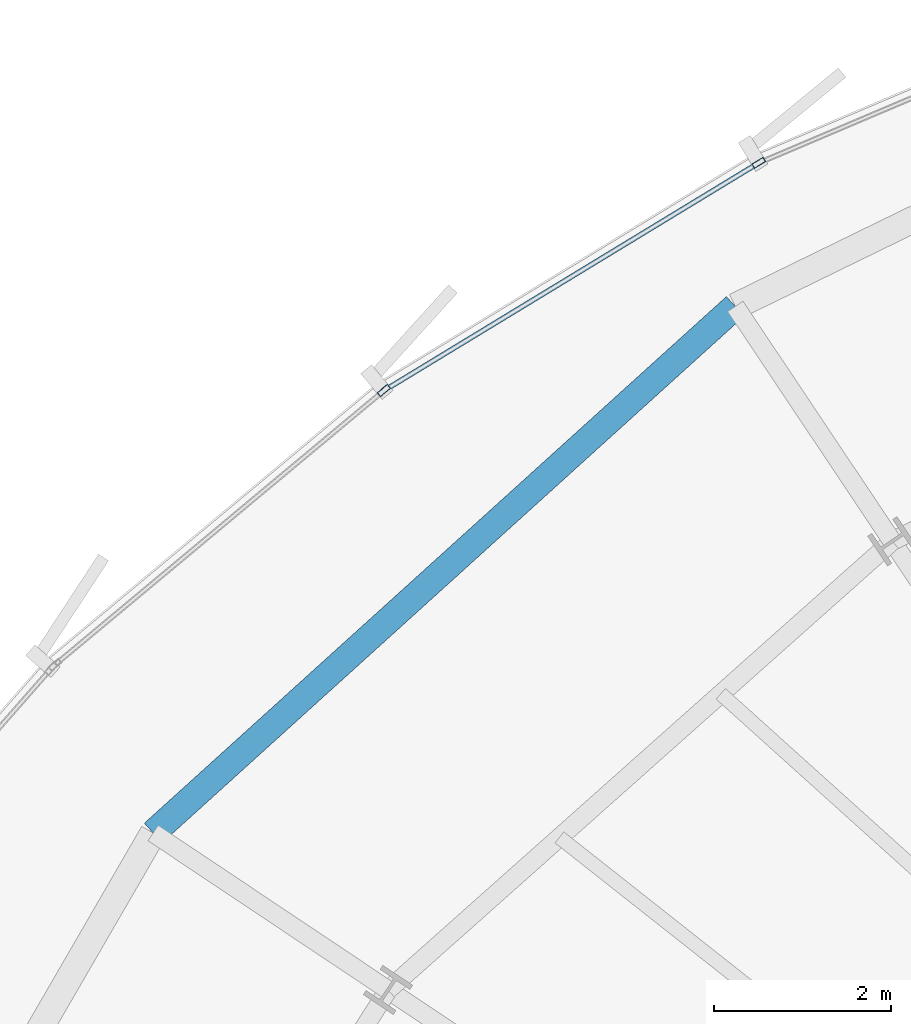
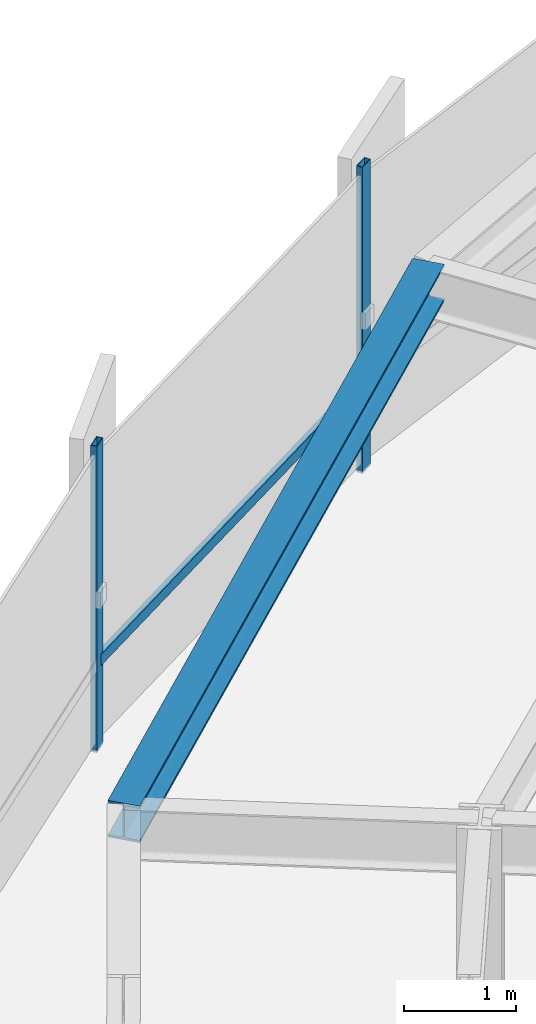
# One storey, part 19 of 33: 3 members, 1 beam, 1 element without a shape of its own.
"""IFC4 building model written with IfcOpenShell, lengths in metres."""

from ifc_helpers import new_model, si_unit, direction, frame, origin, origin_2d, place, context, subcontext, project, spatial, hollow_rectangle, i_section, extrude, source, transform, mapped, material, layer, layer_set, material_profile, profile_set, type_object, element, aggregate, save


model = new_model("IFC4")

# Units and contexts
model_context = context("Model", 3, precision=1e-05, world=origin(), true_north=direction((0.0, 1.0)))
body_context = subcontext(model_context, "Body", "Model", "MODEL_VIEW")
ifc_project = project(units=[si_unit("LENGTHUNIT", "METRE"), si_unit("AREAUNIT", "SQUARE_METRE"), si_unit("VOLUMEUNIT", "CUBIC_METRE"), si_unit("PLANEANGLEUNIT", "RADIAN"), si_unit("MASSUNIT", "GRAM", prefix="KILO"), si_unit("THERMODYNAMICTEMPERATUREUNIT", "KELVIN")], contexts=[model_context])

# Site, building, storey
site_placement = place(None, origin())
site = spatial("IfcSite", under=ifc_project, at=site_placement, CompositionType="ELEMENT")
building_placement = place(site_placement, origin())
building = spatial("IfcBuilding", under=site, at=building_placement, Name="Kethvar Cultural Tower", CompositionType="ELEMENT")
storey_placement = place(building_placement, frame((0.0, 0.0, 110.800048828125)))
storey = spatial("IfcBuildingStorey", under=building, at=storey_placement, Name="L27", CompositionType="ELEMENT", Elevation=110.800048828125)

# Beam
ifc_material_1 = material(Name="Steel S355J2", Category="steel")
ifc_material_profile_1 = material_profile(ifc_material_1, i_section(OverallWidth=0.300048828125, OverallDepth=0.39990234375, WebThickness=0.013427734375, FlangeThickness=0.02392578125, FilletRadius=0.027099609375, at=origin_2d()), Name="Steel S355J2 — HEB400")
ifc_profile_set_1 = profile_set([ifc_material_profile_1], Name="Steel S355J2 — HEB400")
beam_type = type_object("IfcBeamType", Name="BM-SP400", PredefinedType="SPANDREL", material=ifc_profile_set_1)
shared_shape_1 = source(origin(), body_context, "Body", "SweptSolid", [
    extrude(i_section(OverallWidth=0.300048828125, OverallDepth=0.39990234375, WebThickness=0.013427734375, FlangeThickness=0.02392578125, FilletRadius=0.027099609375, at=origin_2d()), origin(), (0.0, 0.0, 1.0), 8.892822265625),
])
beam_placement = place(storey_placement, frame((34.27978515625, 46.5380859375, 3.14794921875), z_axis=(-0.741556591679, -0.670890319901, 0.0), x_axis=(0.670890319901, -0.741556591679, 0.0)))
element("IfcBeam", 1, at=beam_placement, inside=storey, type_object=beam_type, Name="L27 Perimeter Spandrel Beam SP-06", PredefinedType="SPANDREL", context=body_context, shape_type="MappedRepresentation", body=[
    mapped(shared_shape_1, transform((0.0, 0.0, 0.0), scale=1.0)),
])

# Curtain wall, members
ifc_material_2 = material(Name="Aluminium 6063-T6", Category="aluminium")
ifc_layer = layer(ifc_material_2, 0.179931640625, Name="Aluminium 6063-T6", Category="aluminium")
ifc_layer_set = layer_set([ifc_layer], Name="Aluminium 6063-T6 (180 mm)")
curtain_wall_type = type_object("IfcCurtainWallType", Name="CW-SYS-03-Z2", PredefinedType="NOTDEFINED", material=ifc_layer_set)
curtain_wall_placement = place(storey_placement, origin())
curtain_wall = element("IfcCurtainWall", 2, at=curtain_wall_placement, inside=storey, type_object=curtain_wall_type, Name="L27 Curtain Wall Run 02", PredefinedType="NOTDEFINED")
ifc_material_profile_2 = material_profile(ifc_material_2, hollow_rectangle(XDim=0.06005859375, YDim=0.14990234375, WallThickness=0.0048828125, at=origin_2d()), Name="Aluminium 6063-T6 — RHS150x60x5")
ifc_profile_set_2 = profile_set([ifc_material_profile_2], Name="Aluminium 6063-T6 — RHS150x60x5")
member_type_1 = type_object("IfcMemberType", Name="CW-SYS-03-Z2-MUL", PredefinedType="MULLION", material=ifc_profile_set_2)
shared_shape_2 = source(origin(), body_context, "Body", "SweptSolid", [
    extrude(hollow_rectangle(XDim=0.06005859375, YDim=0.14990234375, WallThickness=0.0048828125, at=origin_2d()), origin(), (0.0, 0.0, 1.0), 3.349853515625),
])
member_1_placement = place(storey_placement, frame((34.545654296875, 48.164306640625, 0.0), z_axis=(0.0, 0.0, 1.0), x_axis=(0.519355057987, -0.854558554894, 0.0)))
member_1 = element("IfcMember", 3, at=member_1_placement, type_object=member_type_1, Name="CW-L27-R02 Mullion 5", PredefinedType="MULLION", context=body_context, shape_type="MappedRepresentation", body=[
    mapped(shared_shape_2, transform((0.0, 0.0, 0.0), scale=1.0)),
])
member_2_placement = place(storey_placement, frame((30.29931640625, 45.5849609375, 0.0), z_axis=(0.0, 0.0, 1.0), x_axis=(0.640377842023, -0.768060036355, 0.0)))
member_2 = element("IfcMember", 4, at=member_2_placement, type_object=member_type_1, Name="CW-L27-R02 Mullion 6", PredefinedType="MULLION", context=body_context, shape_type="MappedRepresentation", body=[
    mapped(shared_shape_2, transform((0.0, 0.0, 0.0), scale=1.0)),
])
ifc_material_profile_3 = material_profile(ifc_material_2, hollow_rectangle(XDim=0.054931640625, YDim=0.1201171875, WallThickness=0.00390625, at=origin_2d()), Name="Aluminium 6063-T6 — RHS120x55x4")
ifc_profile_set_3 = profile_set([ifc_material_profile_3], Name="Aluminium 6063-T6 — RHS120x55x4")
member_type_2 = type_object("IfcMemberType", Name="CW-SYS-03-Z2-TRN", PredefinedType="USERDEFINED", material=ifc_profile_set_3)
shared_shape_3 = source(origin(), body_context, "Body", "SweptSolid", [
    extrude(hollow_rectangle(XDim=0.054931640625, YDim=0.1201171875, WallThickness=0.00390625, at=origin_2d()), origin(), (0.0, 0.0, 1.0), 4.899169921875),
])
member_3_placement = place(storey_placement, frame((34.5087890625, 48.141845703125, 0.949951171875), z_axis=(-0.854550564548, -0.519368205256, 0.0), x_axis=(0.519368205256, -0.854550564548, 0.0)))
member_3 = element("IfcMember", 5, at=member_3_placement, type_object=member_type_2, Name="CW-L27-R02 Transom 5", ObjectType="TRANSOM", PredefinedType="USERDEFINED", context=body_context, shape_type="MappedRepresentation", body=[
    mapped(shared_shape_3, transform((0.0, 0.0, 0.0), scale=1.0)),
])
aggregate(curtain_wall, [member_1, member_2, member_3])

save(model, "model.ifc")
